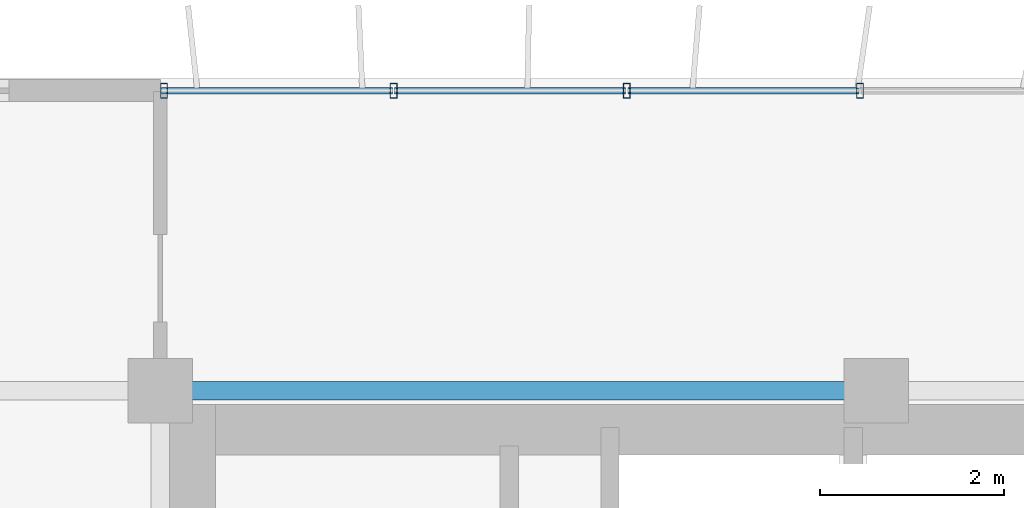
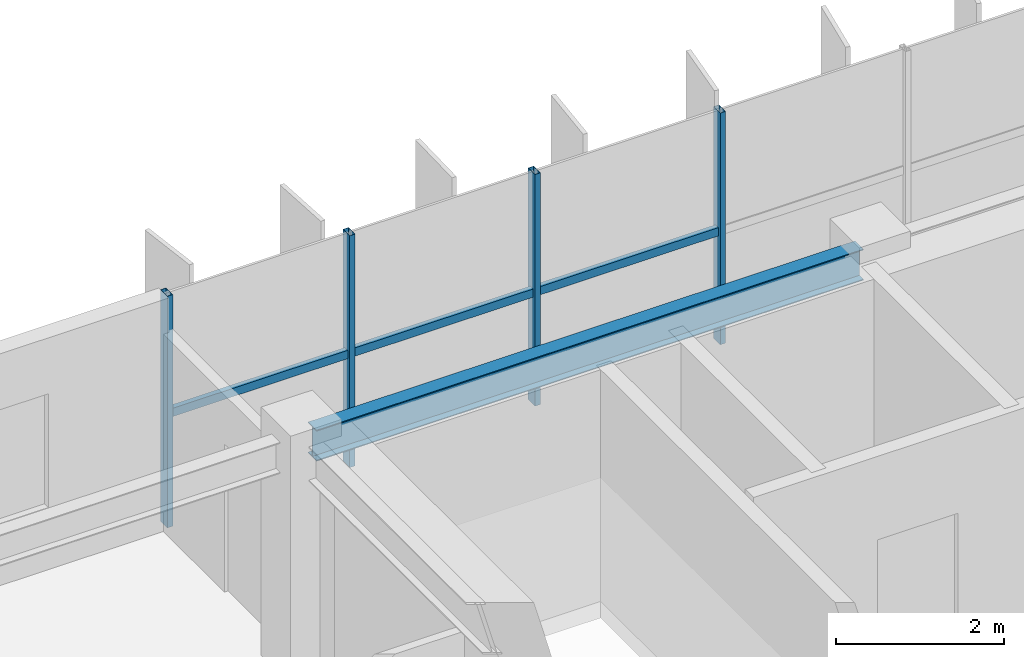
# One storey, part 6 of 23: 7 members, 1 beam, 1 element without a shape of its own.
"""IFC4 building model written with IfcOpenShell, lengths in metres."""

from ifc_helpers import new_model, si_unit, direction, frame, origin, origin_2d, place, context, subcontext, project, spatial, hollow_rectangle, i_section, extrude, source, transform, mapped, material, material_profile, profile_set, type_object, element, aggregate, save


model = new_model("IFC4")

# Units and contexts
model_context = context("Model", 3, precision=1e-05, world=origin(), true_north=direction((0.0, 1.0)))
body_context = subcontext(model_context, "Body", "Model", "MODEL_VIEW")
ifc_project = project(units=[si_unit("LENGTHUNIT", "METRE"), si_unit("AREAUNIT", "SQUARE_METRE"), si_unit("VOLUMEUNIT", "CUBIC_METRE"), si_unit("PLANEANGLEUNIT", "RADIAN"), si_unit("MASSUNIT", "GRAM", prefix="KILO")], contexts=[model_context])

# Site, building, storey
site_placement = place(None, origin())
site = spatial("IfcSite", under=ifc_project, at=site_placement, CompositionType="ELEMENT")
building_placement = place(site_placement, origin())
building = spatial("IfcBuilding", under=site, at=building_placement, Name="Trelvane Seafront Commons", CompositionType="ELEMENT")
storey_placement = place(building_placement, frame((0.0, 0.0, 230.10009765625)))
storey = spatial("IfcBuildingStorey", under=building, at=storey_placement, Name="L60", CompositionType="ELEMENT", Elevation=230.10009765625)

# Beam
ifc_material_1 = material(Name="Steel SM355 (S355)", Category="steel")
ifc_material_profile_1 = material_profile(ifc_material_1, i_section(OverallWidth=0.199951171875, OverallDepth=0.449951171875, WebThickness=0.009033203125, FlangeThickness=0.013916015625, at=origin_2d()), Name="H-450x200x9x14")
ifc_profile_set_1 = profile_set([ifc_material_profile_1], Name="Steel SM355 (S355)")
beam_type = type_object("IfcBeamType", Name="STR-SPD-H450", PredefinedType="SPANDREL", material=ifc_profile_set_1)
shared_shape_1 = source(origin(), body_context, "Body", "SweptSolid", [
    extrude(i_section(OverallWidth=0.199951171875, OverallDepth=0.449951171875, WebThickness=0.009033203125, FlangeThickness=0.013916015625, at=origin_2d()), origin(), (0.0, 0.0, 1.0), 7.5),
])
beam_placement = place(storey_placement, frame((15.75, 45.10009765625, 3.135009765625), z_axis=(1.0, 0.0, 0.0), x_axis=(0.0, 1.0, 0.0)))
element("IfcBeam", 1, at=beam_placement, inside=storey, type_object=beam_type, Name="L60 Primary Girder G-23", PredefinedType="SPANDREL", context=body_context, shape_type="MappedRepresentation", body=[
    mapped(shared_shape_1, transform((0.0, 0.0, 0.0), x_axis=(1.0, 0.0, 0.0), y_axis=(0.0, 1.0, 0.0), z_axis=(0.0, 0.0, 1.0), scale=1.0)),
])

# Curtain wall, members
ifc_material_2 = material(Name="Anodised pale-silver aluminium", Category="aluminium")
curtain_wall_type = type_object("IfcCurtainWallType", Name="ARCH-CW5-UPTOWER", PredefinedType="NOTDEFINED", material=ifc_material_2)
curtain_wall_placement = place(storey_placement, origin())
curtain_wall = element("IfcCurtainWall", 2, at=curtain_wall_placement, inside=storey, type_object=curtain_wall_type, Name="CW-L60-0103", PredefinedType="NOTDEFINED")
ifc_material_profile_2 = material_profile(ifc_material_2, hollow_rectangle(XDim=0.070068359375, YDim=0.1201171875, WallThickness=0.00390625, at=origin_2d()), Name="TRAN-70x120x4")
ifc_profile_set_2 = profile_set([ifc_material_profile_2], Name="Anodised pale-silver aluminium")
member_type_1 = type_object("IfcMemberType", Name="ARCH-CW-TRAN-120", PredefinedType="USERDEFINED", material=ifc_profile_set_2)
shared_shape_2 = source(origin(), body_context, "Body", "SweptSolid", [
    extrude(hollow_rectangle(XDim=0.070068359375, YDim=0.1201171875, WallThickness=0.00390625, at=origin_2d()), origin(), (0.0, 0.0, 1.0), 2.51708984375),
])
member_1_placement = place(storey_placement, frame((15.612060546875, 48.3701171875, 1.61279296875), z_axis=(1.0, 0.0, 0.0), x_axis=(0.0, 1.0, 0.0)))
member_1 = element("IfcMember", 3, at=member_1_placement, type_object=member_type_1, Name="CW-L60-0103-T00", ObjectType="TRANSOM", PredefinedType="USERDEFINED", context=body_context, shape_type="MappedRepresentation", body=[
    mapped(shared_shape_2, transform((0.0, 0.0, 0.0), x_axis=(1.0, 0.0, 0.0), y_axis=(0.0, 1.0, 0.0), z_axis=(0.0, 0.0, 1.0), scale=1.0)),
])
member_2_placement = place(storey_placement, frame((18.1533203125, 48.3701171875, 1.61279296875), z_axis=(1.0, 0.0, 0.0), x_axis=(0.0, 1.0, 0.0)))
member_2 = element("IfcMember", 4, at=member_2_placement, type_object=member_type_1, Name="CW-L60-0103-T01", ObjectType="TRANSOM", PredefinedType="USERDEFINED", context=body_context, shape_type="MappedRepresentation", body=[
    mapped(shared_shape_2, transform((0.0, 0.0, 0.0), x_axis=(1.0, 0.0, 0.0), y_axis=(0.0, 1.0, 0.0), z_axis=(0.0, 0.0, 1.0), scale=1.0)),
])
member_3_placement = place(storey_placement, frame((20.6943359375, 48.3701171875, 1.61279296875), z_axis=(1.0, 0.0, 0.0), x_axis=(0.0, 1.0, 0.0)))
member_3 = element("IfcMember", 5, at=member_3_placement, type_object=member_type_1, Name="CW-L60-0103-T02", ObjectType="TRANSOM", PredefinedType="USERDEFINED", context=body_context, shape_type="MappedRepresentation", body=[
    mapped(shared_shape_2, transform((0.0, 0.0, 0.0), x_axis=(1.0, 0.0, 0.0), y_axis=(0.0, 1.0, 0.0), z_axis=(0.0, 0.0, 1.0), scale=1.0)),
])
ifc_material_profile_3 = material_profile(ifc_material_2, hollow_rectangle(XDim=0.074951171875, YDim=0.159912109375, WallThickness=0.00390625, at=origin_2d()), Name="MULL-75x160x4")
ifc_profile_set_3 = profile_set([ifc_material_profile_3], Name="Anodised pale-silver aluminium")
member_type_2 = type_object("IfcMemberType", Name="ARCH-CW-MULL-160", PredefinedType="MULLION", material=ifc_profile_set_3)
shared_shape_3 = source(origin(), body_context, "Body", "SweptSolid", [
    extrude(hollow_rectangle(XDim=0.074951171875, YDim=0.159912109375, WallThickness=0.00390625, at=origin_2d()), origin(), (0.0, 0.0, 1.0), 3.35986328125),
])
member_4_placement = place(storey_placement, frame((15.639892578125, 48.3701171875, 0.0), z_axis=(0.0, 0.0, 1.0), x_axis=(1.0, 0.0, 0.0)))
member_4 = element("IfcMember", 6, at=member_4_placement, type_object=member_type_2, Name="CW-L60-0103-M00", PredefinedType="MULLION", context=body_context, shape_type="MappedRepresentation", body=[
    mapped(shared_shape_3, transform((0.0, 0.0, 0.0), x_axis=(1.0, 0.0, 0.0), y_axis=(0.0, 1.0, 0.0), z_axis=(0.0, 0.0, 1.0), scale=1.0)),
])
member_5_placement = place(storey_placement, frame((18.14111328125, 48.3701171875, 0.0), z_axis=(0.0, 0.0, 1.0), x_axis=(1.0, 0.0, 0.0)))
member_5 = element("IfcMember", 7, at=member_5_placement, type_object=member_type_2, Name="CW-L60-0103-M01", PredefinedType="MULLION", context=body_context, shape_type="MappedRepresentation", body=[
    mapped(shared_shape_3, transform((0.0, 0.0, 0.0), x_axis=(1.0, 0.0, 0.0), y_axis=(0.0, 1.0, 0.0), z_axis=(0.0, 0.0, 1.0), scale=1.0)),
])
member_6_placement = place(storey_placement, frame((20.682373046875, 48.3701171875, 0.0), z_axis=(0.0, 0.0, 1.0), x_axis=(1.0, 0.0, 0.0)))
member_6 = element("IfcMember", 8, at=member_6_placement, type_object=member_type_2, Name="CW-L60-0103-M02", PredefinedType="MULLION", context=body_context, shape_type="MappedRepresentation", body=[
    mapped(shared_shape_3, transform((0.0, 0.0, 0.0), x_axis=(1.0, 0.0, 0.0), y_axis=(0.0, 1.0, 0.0), z_axis=(0.0, 0.0, 1.0), scale=1.0)),
])
member_7_placement = place(storey_placement, frame((23.223388671875, 48.3701171875, 0.0), z_axis=(0.0, 0.0, 1.0), x_axis=(1.0, 0.0, 0.0)))
member_7 = element("IfcMember", 9, at=member_7_placement, type_object=member_type_2, Name="CW-L60-0103-M03", PredefinedType="MULLION", context=body_context, shape_type="MappedRepresentation", body=[
    mapped(shared_shape_3, transform((0.0, 0.0, 0.0), x_axis=(1.0, 0.0, 0.0), y_axis=(0.0, 1.0, 0.0), z_axis=(0.0, 0.0, 1.0), scale=1.0)),
])
aggregate(curtain_wall, [member_4, member_5, member_6, member_7, member_1, member_2, member_3])

save(model, "model.ifc")
